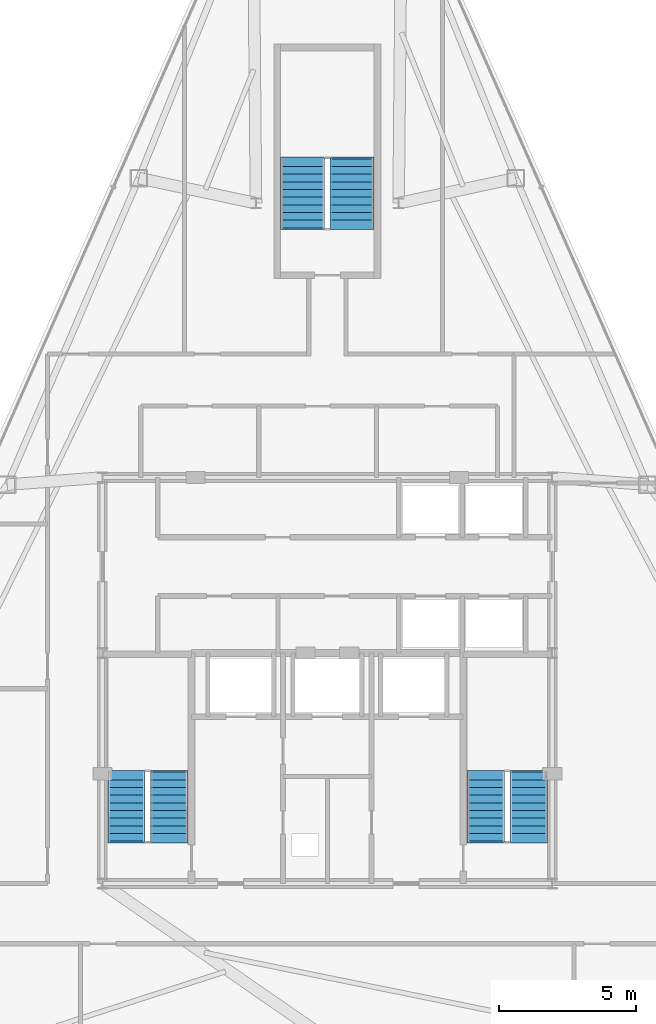
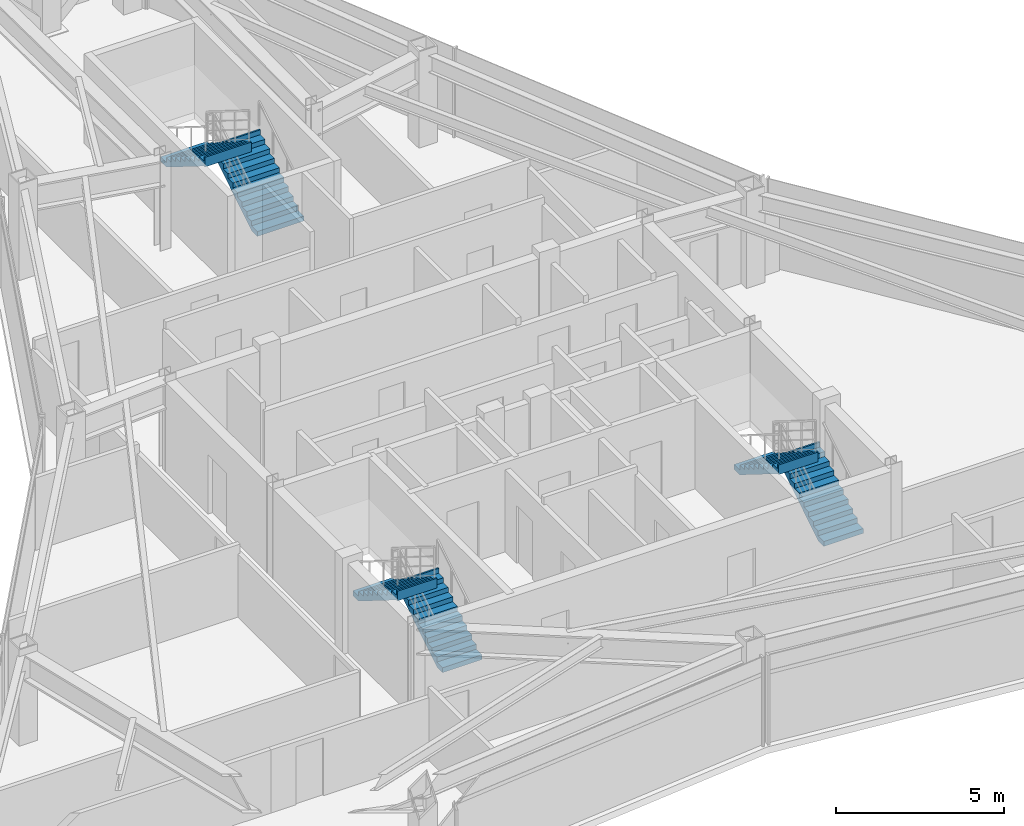
# One storey, part 11 of 12: 6 stair flights, 3 elements without a shape of their own.
"""IFC4 building model written with IfcOpenShell, lengths in metres."""

from ifc_helpers import new_model, si_unit, direction, frame, origin, place, context, subcontext, project, spatial, polyline, outline, extrude, material, type_object, element, aggregate, save


model = new_model("IFC4")

# Units and contexts
model_context = context("Model", 3, precision=1e-05, world=origin(), true_north=direction((0.0, 1.0)))
body_context = subcontext(model_context, "Body", "Model", "MODEL_VIEW")
ifc_project = project(units=[si_unit("LENGTHUNIT", "METRE"), si_unit("AREAUNIT", "SQUARE_METRE"), si_unit("VOLUMEUNIT", "CUBIC_METRE"), si_unit("PLANEANGLEUNIT", "RADIAN"), si_unit("MASSUNIT", "GRAM", prefix="KILO")], contexts=[model_context])

# Site, building, storey
site_placement = place(None, origin())
site = spatial("IfcSite", under=ifc_project, at=site_placement, CompositionType="ELEMENT")
building_placement = place(site_placement, origin())
building = spatial("IfcBuilding", under=site, at=building_placement, Name="Varakhsha Concourse Tower", CompositionType="ELEMENT")
storey_placement = place(building_placement, frame((0.0, 0.0, 265.5)))
storey = spatial("IfcBuildingStorey", under=building, at=storey_placement, Name="L75", CompositionType="ELEMENT", Elevation=265.5)

# Stair, stair flights
ifc_material = material(Name="Concrete fc 45 MPa", Category="concrete")
stair_type_1 = type_object("IfcStairType", Name="ST-DOGLEG-1360", PredefinedType="HALF_TURN_STAIR", material=ifc_material)
stair_1_placement = place(storey_placement, origin())
stair_1 = element("IfcStair", 1, at=stair_1_placement, inside=storey, type_object=stair_type_1, Name="L75 Protected Exit Stair ST1", PredefinedType="HALF_TURN_STAIR")
stair_flight_type_1 = type_object("IfcStairFlightType", Name="STF-1360-R1750", PredefinedType="STRAIGHT", material=ifc_material)
stair_flight_1_placement = place(storey_placement, frame((34.239990234375, 17.93994140625, 0.0), z_axis=(0.0, 0.0, 1.0), x_axis=(0.0, 1.0, 0.0)))
stair_flight_1 = element("IfcStairFlight", 2, at=stair_flight_1_placement, type_object=stair_flight_type_1, Name="ST1 flight 1", NumberOfRisers=10, NumberOfTreads=9, PredefinedType="STRAIGHT", RiserHeight=0.175, TreadLength=0.28, context=body_context, shape_type="SweptSolid", body=[
    extrude(outline(polyline([(-0.06005859375, 0.0), (-0.06005859375, 0.175048828125), (0.0, 0.175048828125), (0.280029296875, 0.175048828125), (0.280029296875, 0.35009765625), (0.56005859375, 0.35009765625), (0.56005859375, 0.52490234375), (0.840087890625, 0.52490234375), (0.840087890625, 0.699951171875), (1.1201171875, 0.699951171875), (1.1201171875, 0.875), (1.39990234375, 0.875), (1.39990234375, 1.050048828125), (1.679931640625, 1.050048828125), (1.679931640625, 1.22509765625), (1.9599609375, 1.22509765625), (1.9599609375, 1.39990234375), (2.239990234375, 1.39990234375), (2.239990234375, 1.574951171875), (2.52001953125, 1.574951171875), (2.52001953125, 1.75), (2.580078125, 1.75), (2.580078125, 1.398193359375), (2.52001953125, 1.398193359375), (0.28271484375, 0.0), (-0.06005859375, 0.0)])), frame((0.0, 0.68017578125, 0.0), z_axis=(0.0, -1.0, 0.0), x_axis=(1.0, 0.0, 0.0)), (0.0, 0.0, 1.0), 1.360107421875),
])
stair_flight_2_placement = place(storey_placement, frame((32.679931640625, 20.4599609375, 1.75), z_axis=(0.0, 0.0, 1.0), x_axis=(0.0, -1.0, 0.0)))
stair_flight_2 = element("IfcStairFlight", 3, at=stair_flight_2_placement, type_object=stair_flight_type_1, Name="ST1 flight 2", NumberOfRisers=10, NumberOfTreads=9, PredefinedType="STRAIGHT", RiserHeight=0.175, TreadLength=0.28, context=body_context, shape_type="SweptSolid", body=[
    extrude(outline(polyline([(-0.06005859375, 0.0), (-0.06005859375, 0.175048828125), (0.0, 0.175048828125), (0.280029296875, 0.175048828125), (0.280029296875, 0.35009765625), (0.56005859375, 0.35009765625), (0.56005859375, 0.52490234375), (0.840087890625, 0.52490234375), (0.840087890625, 0.699951171875), (1.1201171875, 0.699951171875), (1.1201171875, 0.875), (1.39990234375, 0.875), (1.39990234375, 1.050048828125), (1.679931640625, 1.050048828125), (1.679931640625, 1.22509765625), (1.9599609375, 1.22509765625), (1.9599609375, 1.39990234375), (2.239990234375, 1.39990234375), (2.239990234375, 1.574951171875), (2.52001953125, 1.574951171875), (2.52001953125, 1.75), (2.580078125, 1.75), (2.580078125, 1.398193359375), (2.52001953125, 1.398193359375), (0.28271484375, 0.0), (-0.06005859375, 0.0)])), frame((0.0, 0.68017578125, 0.0), z_axis=(0.0, -1.0, 0.0), x_axis=(1.0, 0.0, 0.0)), (0.0, 0.0, 1.0), 1.360107421875),
])
aggregate(stair_1, [stair_flight_1, stair_flight_2])

stair_2_placement = place(storey_placement, origin())
stair_2 = element("IfcStair", 4, at=stair_2_placement, inside=storey, type_object=stair_type_1, Name="L75 Protected Exit Stair ST2", PredefinedType="HALF_TURN_STAIR")
stair_flight_3_placement = place(storey_placement, frame((47.340087890625, 17.93994140625, 0.0), z_axis=(0.0, 0.0, 1.0), x_axis=(0.0, 1.0, 0.0)))
stair_flight_3 = element("IfcStairFlight", 5, at=stair_flight_3_placement, type_object=stair_flight_type_1, Name="ST2 flight 1", NumberOfRisers=10, NumberOfTreads=9, PredefinedType="STRAIGHT", RiserHeight=0.175, TreadLength=0.28, context=body_context, shape_type="SweptSolid", body=[
    extrude(outline(polyline([(-0.06005859375, 0.0), (-0.06005859375, 0.175048828125), (0.0, 0.175048828125), (0.280029296875, 0.175048828125), (0.280029296875, 0.35009765625), (0.56005859375, 0.35009765625), (0.56005859375, 0.52490234375), (0.840087890625, 0.52490234375), (0.840087890625, 0.699951171875), (1.1201171875, 0.699951171875), (1.1201171875, 0.875), (1.39990234375, 0.875), (1.39990234375, 1.050048828125), (1.679931640625, 1.050048828125), (1.679931640625, 1.22509765625), (1.9599609375, 1.22509765625), (1.9599609375, 1.39990234375), (2.239990234375, 1.39990234375), (2.239990234375, 1.574951171875), (2.52001953125, 1.574951171875), (2.52001953125, 1.75), (2.580078125, 1.75), (2.580078125, 1.398193359375), (2.52001953125, 1.398193359375), (0.28271484375, 0.0), (-0.06005859375, 0.0)])), frame((0.0, 0.68017578125, 0.0), z_axis=(0.0, -1.0, 0.0), x_axis=(1.0, 0.0, 0.0)), (0.0, 0.0, 1.0), 1.360107421875),
])
stair_flight_4_placement = place(storey_placement, frame((45.780029296875, 20.4599609375, 1.75), z_axis=(0.0, 0.0, 1.0), x_axis=(0.0, -1.0, 0.0)))
stair_flight_4 = element("IfcStairFlight", 6, at=stair_flight_4_placement, type_object=stair_flight_type_1, Name="ST2 flight 2", NumberOfRisers=10, NumberOfTreads=9, PredefinedType="STRAIGHT", RiserHeight=0.175, TreadLength=0.28, context=body_context, shape_type="SweptSolid", body=[
    extrude(outline(polyline([(-0.06005859375, 0.0), (-0.06005859375, 0.175048828125), (0.0, 0.175048828125), (0.280029296875, 0.175048828125), (0.280029296875, 0.35009765625), (0.56005859375, 0.35009765625), (0.56005859375, 0.52490234375), (0.840087890625, 0.52490234375), (0.840087890625, 0.699951171875), (1.1201171875, 0.699951171875), (1.1201171875, 0.875), (1.39990234375, 0.875), (1.39990234375, 1.050048828125), (1.679931640625, 1.050048828125), (1.679931640625, 1.22509765625), (1.9599609375, 1.22509765625), (1.9599609375, 1.39990234375), (2.239990234375, 1.39990234375), (2.239990234375, 1.574951171875), (2.52001953125, 1.574951171875), (2.52001953125, 1.75), (2.580078125, 1.75), (2.580078125, 1.398193359375), (2.52001953125, 1.398193359375), (0.28271484375, 0.0), (-0.06005859375, 0.0)])), frame((0.0, 0.68017578125, 0.0), z_axis=(0.0, -1.0, 0.0), x_axis=(1.0, 0.0, 0.0)), (0.0, 0.0, 1.0), 1.360107421875),
])
aggregate(stair_2, [stair_flight_3, stair_flight_4])

stair_type_2 = type_object("IfcStairType", Name="ST-DOGLEG-1600", PredefinedType="HALF_TURN_STAIR", material=ifc_material)
stair_3_placement = place(storey_placement, origin())
stair_3 = element("IfcStair", 7, at=stair_3_placement, inside=storey, type_object=stair_type_2, Name="L75 Protected Exit Stair ST5", PredefinedType="HALF_TURN_STAIR")
stair_flight_type_2 = type_object("IfcStairFlightType", Name="STF-1600-R1750", PredefinedType="STRAIGHT", material=ifc_material)
stair_flight_5_placement = place(storey_placement, frame((40.89990234375, 40.300048828125, 0.0), z_axis=(0.0, 0.0, 1.0), x_axis=(0.0, 1.0, 0.0)))
stair_flight_5 = element("IfcStairFlight", 8, at=stair_flight_5_placement, type_object=stair_flight_type_2, Name="ST5 flight 1", NumberOfRisers=10, NumberOfTreads=9, PredefinedType="STRAIGHT", RiserHeight=0.175, TreadLength=0.28, context=body_context, shape_type="SweptSolid", body=[
    extrude(outline(polyline([(-0.06005859375, 0.0), (-0.06005859375, 0.175048828125), (0.0, 0.175048828125), (0.280029296875, 0.175048828125), (0.280029296875, 0.35009765625), (0.56005859375, 0.35009765625), (0.56005859375, 0.52490234375), (0.840087890625, 0.52490234375), (0.840087890625, 0.699951171875), (1.1201171875, 0.699951171875), (1.1201171875, 0.875), (1.39990234375, 0.875), (1.39990234375, 1.050048828125), (1.679931640625, 1.050048828125), (1.679931640625, 1.22509765625), (1.9599609375, 1.22509765625), (1.9599609375, 1.39990234375), (2.239990234375, 1.39990234375), (2.239990234375, 1.574951171875), (2.52001953125, 1.574951171875), (2.52001953125, 1.75), (2.580078125, 1.75), (2.580078125, 1.398193359375), (2.52001953125, 1.398193359375), (0.28271484375, 0.0), (-0.06005859375, 0.0)])), frame((0.0, 0.800048828125, 0.0), z_axis=(0.0, -1.0, 0.0), x_axis=(1.0, 0.0, 0.0)), (0.0, 0.0, 1.0), 1.60009765625),
])
stair_flight_6_placement = place(storey_placement, frame((39.10009765625, 42.820068359375, 1.75), z_axis=(0.0, 0.0, 1.0), x_axis=(0.0, -1.0, 0.0)))
stair_flight_6 = element("IfcStairFlight", 9, at=stair_flight_6_placement, type_object=stair_flight_type_2, Name="ST5 flight 2", NumberOfRisers=10, NumberOfTreads=9, PredefinedType="STRAIGHT", RiserHeight=0.175, TreadLength=0.28, context=body_context, shape_type="SweptSolid", body=[
    extrude(outline(polyline([(-0.06005859375, 0.0), (-0.06005859375, 0.175048828125), (0.0, 0.175048828125), (0.280029296875, 0.175048828125), (0.280029296875, 0.35009765625), (0.56005859375, 0.35009765625), (0.56005859375, 0.52490234375), (0.840087890625, 0.52490234375), (0.840087890625, 0.699951171875), (1.1201171875, 0.699951171875), (1.1201171875, 0.875), (1.39990234375, 0.875), (1.39990234375, 1.050048828125), (1.679931640625, 1.050048828125), (1.679931640625, 1.22509765625), (1.9599609375, 1.22509765625), (1.9599609375, 1.39990234375), (2.239990234375, 1.39990234375), (2.239990234375, 1.574951171875), (2.52001953125, 1.574951171875), (2.52001953125, 1.75), (2.580078125, 1.75), (2.580078125, 1.398193359375), (2.52001953125, 1.398193359375), (0.28271484375, 0.0), (-0.06005859375, 0.0)])), frame((0.0, 0.800048828125, 0.0), z_axis=(0.0, -1.0, 0.0), x_axis=(1.0, 0.0, 0.0)), (0.0, 0.0, 1.0), 1.60009765625),
])
aggregate(stair_3, [stair_flight_5, stair_flight_6])

save(model, "model.ifc")
